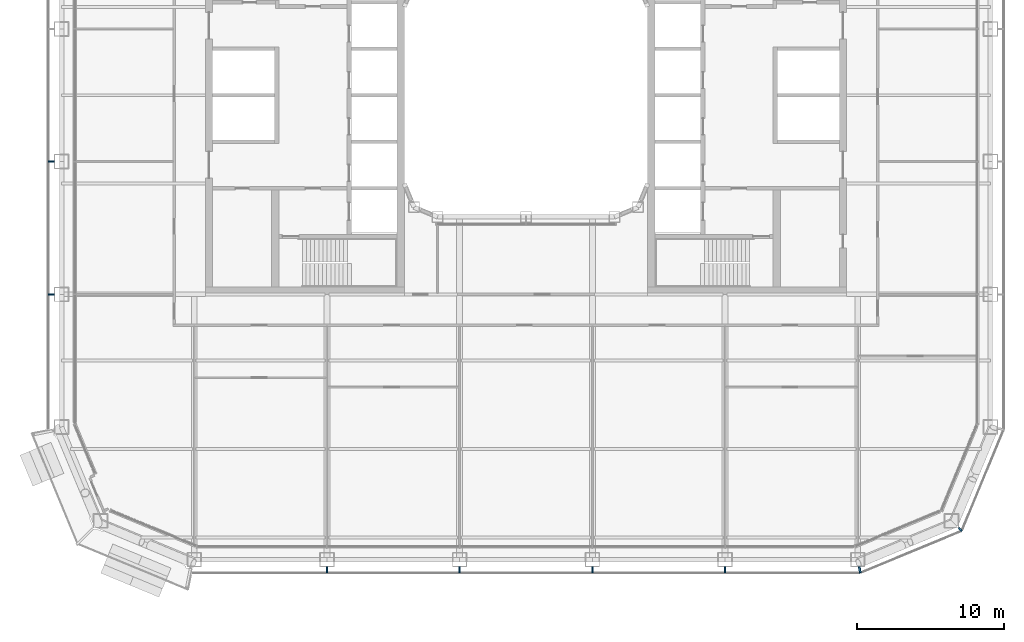
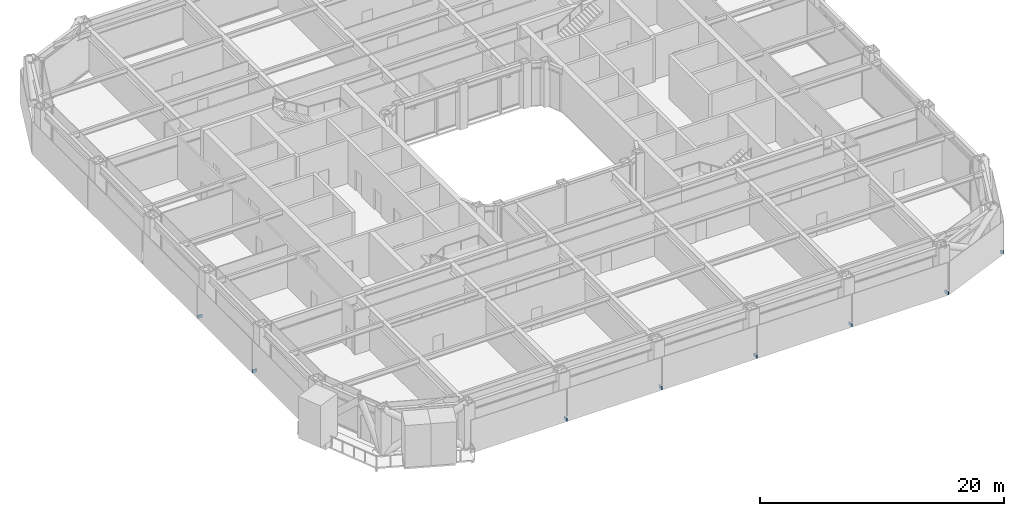
# One storey, part 19 of 27: 8 discrete accessories.
"""IFC4 building model written with IfcOpenShell, lengths in metres."""

from ifc_helpers import new_model, si_unit, direction, frame, origin, origin_2d, place, context, subcontext, project, spatial, rectangle, extrude, material, type_object, element, save


model = new_model("IFC4")

# Units and contexts
model_context = context("Model", 3, precision=1e-05, world=origin(), true_north=direction((0.0, 1.0)))
body_context = subcontext(model_context, "Body", "Model", "MODEL_VIEW")
ifc_project = project(units=[si_unit("LENGTHUNIT", "METRE"), si_unit("AREAUNIT", "SQUARE_METRE"), si_unit("VOLUMEUNIT", "CUBIC_METRE"), si_unit("PLANEANGLEUNIT", "RADIAN"), si_unit("MASSUNIT", "GRAM", prefix="KILO")], contexts=[model_context])

# Site, building, storey
site_placement = place(None, origin())
site = spatial("IfcSite", under=ifc_project, at=site_placement, CompositionType="ELEMENT")
building_placement = place(site_placement, origin())
building = spatial("IfcBuilding", under=site, at=building_placement, Name="Siwar Civic Tower", CompositionType="ELEMENT")
storey_placement = place(building_placement, frame((0.0, 0.0, 53.699951171875)))
storey = spatial("IfcBuildingStorey", under=building, at=storey_placement, Name="L11", CompositionType="ELEMENT", Elevation=53.699951171875)

# Discrete accessories
ifc_material = material(Name="Stainless steel 316", Category="steel")
discrete_accessory_type = type_object("IfcDiscreteAccessoryType", Name="ENV-BRACKET", PredefinedType="BRACKET", material=ifc_material)
for number, where, z_axis, x_axis, name in (
    (1, (-13.5, -32.18994140625, -0.14990234375), (0.0, 0.0, 1.0), (0.0, -1.0, 0.0), "Bracket outer skin joint S-01"),
    (2, (-4.5, -32.18994140625, -0.14990234375), (0.0, 0.0, 1.0), (0.0, -1.0, 0.0), "Bracket outer skin joint S-02"),
    (3, (4.5, -32.18994140625, -0.14990234375), (0.0, 0.0, 1.0), (0.0, -1.0, 0.0), "Bracket outer skin joint S-03"),
    (4, (13.5, -32.18994140625, -0.14990234375), (0.0, 0.0, 1.0), (0.0, -1.0, 0.0), "Bracket outer skin joint S-04"),
):
    element("IfcDiscreteAccessory", number, at=place(storey_placement, frame(where, z_axis=z_axis, x_axis=x_axis)), inside=storey, type_object=discrete_accessory_type, Name=name, PredefinedType="BRACKET", context=body_context, shape_type="SweptSolid", body=[
        extrude(rectangle(XDim=0.419921875, YDim=0.10009765625, at=origin_2d()), origin(), (0.0, 0.0, 1.0), 0.300048828125),
    ])
discrete_accessory_1_placement = place(storey_placement, frame((22.63720703125, -32.190185546875, -0.14990234375), z_axis=(0.0, 0.0, 1.0), x_axis=(0.195090322016, -0.980785280403, 0.0)))
element("IfcDiscreteAccessory", 5, at=discrete_accessory_1_placement, inside=storey, type_object=discrete_accessory_type, Name="Bracket outer skin joint V01", PredefinedType="BRACKET", context=body_context, shape_type="SweptSolid", body=[
    extrude(rectangle(XDim=0.427734375, YDim=0.13720703125, at=origin_2d()), origin(), (0.0, 0.0, 1.0), 0.300048828125),
])
discrete_accessory_2_placement = place(storey_placement, frame((29.451416015625, -29.451416015625, -0.14990234375), z_axis=(0.0, 0.0, 1.0), x_axis=(0.707106781187, -0.707106781187, 0.0)))
element("IfcDiscreteAccessory", 6, at=discrete_accessory_2_placement, inside=storey, type_object=discrete_accessory_type, Name="Bracket outer skin joint V02", PredefinedType="BRACKET", context=body_context, shape_type="SweptSolid", body=[
    extrude(rectangle(XDim=0.287109375, YDim=0.12939453125, at=origin_2d()), origin(), (0.0, 0.0, 1.0), 0.300048828125),
])
for number, where, z_axis, x_axis, name in (
    (7, (-32.18994140625, -4.5, -0.14990234375), (0.0, 0.0, 1.0), (-1.0, 0.0, 0.0), "Bracket outer skin joint W-03"),
    (8, (-32.18994140625, -13.5, -0.14990234375), (0.0, 0.0, 1.0), (-1.0, 0.0, 0.0), "Bracket outer skin joint W-04"),
):
    element("IfcDiscreteAccessory", number, at=place(storey_placement, frame(where, z_axis=z_axis, x_axis=x_axis)), inside=storey, type_object=discrete_accessory_type, Name=name, PredefinedType="BRACKET", context=body_context, shape_type="SweptSolid", body=[
        extrude(rectangle(XDim=0.419921875, YDim=0.10009765625, at=origin_2d()), origin(), (0.0, 0.0, 1.0), 0.300048828125),
    ])

save(model, "model.ifc")
